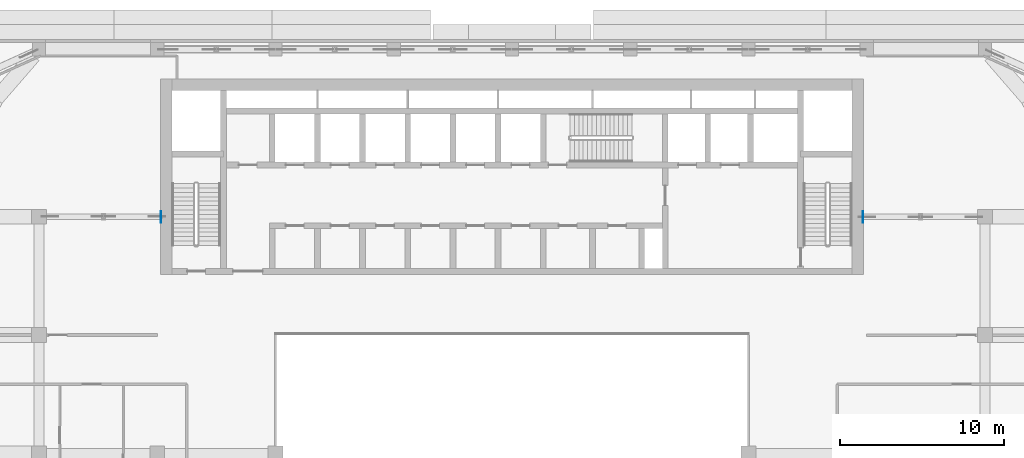
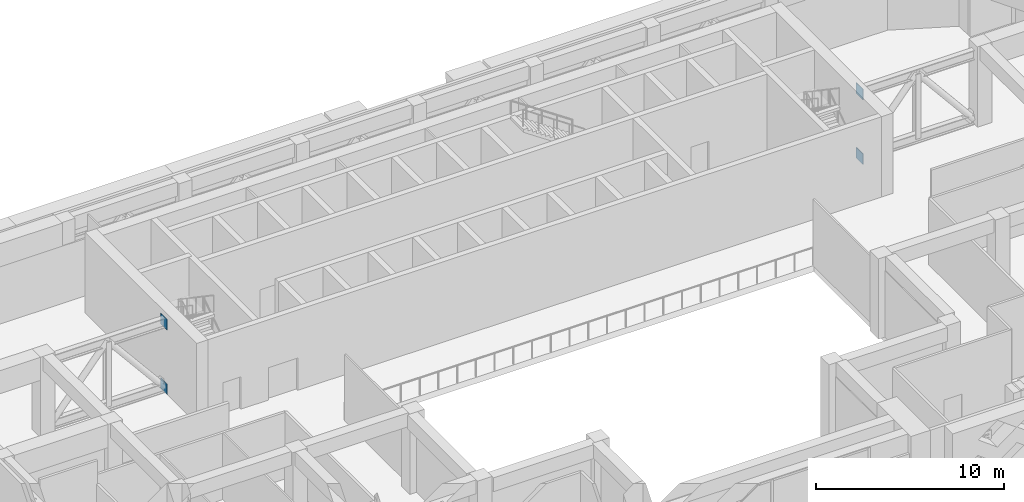
# One storey, part 13 of 20: 4 discrete accessories.
"""IFC4 building model written with IfcOpenShell, lengths in metres."""

from ifc_helpers import new_model, si_unit, direction, frame, origin, origin_2d, place, context, subcontext, project, spatial, rectangle, extrude, source, transform, mapped, element, save


model = new_model("IFC4")

# Units and contexts
model_context = context("Model", 3, precision=1e-05, world=origin(), true_north=direction((0.0, 1.0)))
body_context = subcontext(model_context, "Body", "Model", "MODEL_VIEW")
ifc_project = project(units=[si_unit("LENGTHUNIT", "METRE"), si_unit("AREAUNIT", "SQUARE_METRE"), si_unit("VOLUMEUNIT", "CUBIC_METRE"), si_unit("PLANEANGLEUNIT", "RADIAN"), si_unit("MASSUNIT", "GRAM", prefix="KILO")], contexts=[model_context])

# Site, building, storey
site_placement = place(None, origin())
site = spatial("IfcSite", under=ifc_project, at=site_placement, CompositionType="ELEMENT")
building_placement = place(site_placement, origin())
building = spatial("IfcBuilding", under=site, at=building_placement, Name="Saffron Iwan Residences", CompositionType="ELEMENT")
storey_placement = place(building_placement, frame((0.0, 0.0, 206.0)))
storey = spatial("IfcBuildingStorey", under=building, at=storey_placement, Name="L55", CompositionType="ELEMENT", Elevation=206.0)

# Discrete accessories
shared_shape = source(origin(), body_context, "Body", "SweptSolid", [
    extrude(rectangle(XDim=0.0400390625, YDim=0.699951171875, at=origin_2d()), origin(), (0.0, 0.0, 1.0), 0.699951171875),
])
for number, where, z_axis, x_axis, name in (
    (1, (29.02001953125, 69.60009765625, -0.0400390625), (0.0, 0.0, 1.0), (1.0, 0.0, 0.0), "Embed plate L55 W bottom"),
    (2, (29.02001953125, 69.60009765625, 4.16015625), (0.0, 0.0, 1.0), (1.0, 0.0, 0.0), "Embed plate L55 W top"),
    (3, (71.780029296875, 69.60009765625, -0.0400390625), (0.0, 0.0, 1.0), (1.0, 0.0, 0.0), "Embed plate L55 E bottom"),
    (4, (71.780029296875, 69.60009765625, 4.16015625), (0.0, 0.0, 1.0), (1.0, 0.0, 0.0), "Embed plate L55 E top"),
):
    element("IfcDiscreteAccessory", number, at=place(storey_placement, frame(where, z_axis=z_axis, x_axis=x_axis)), inside=storey, Name=name, PredefinedType="ANCHORPLATE", context=body_context, shape_type="MappedRepresentation", body=[
        mapped(shared_shape, transform((0.0, 0.0, 0.0))),
    ])

save(model, "model.ifc")
